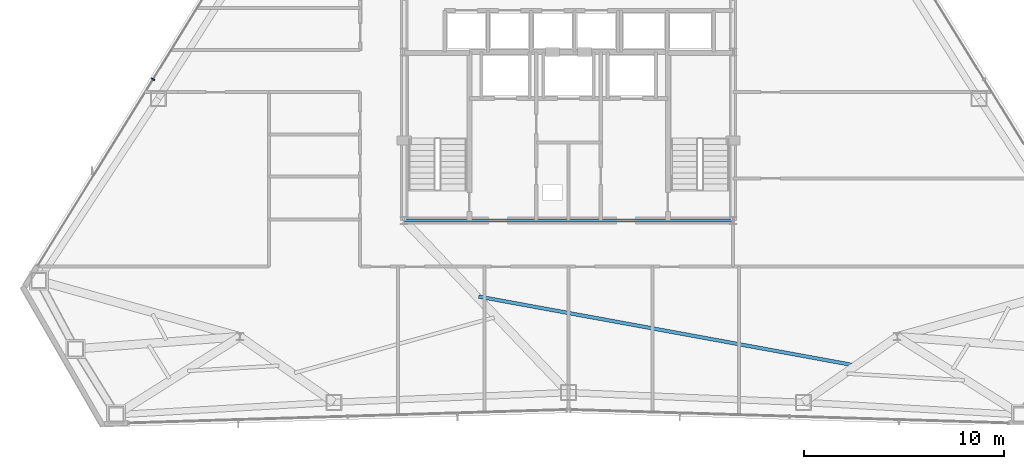
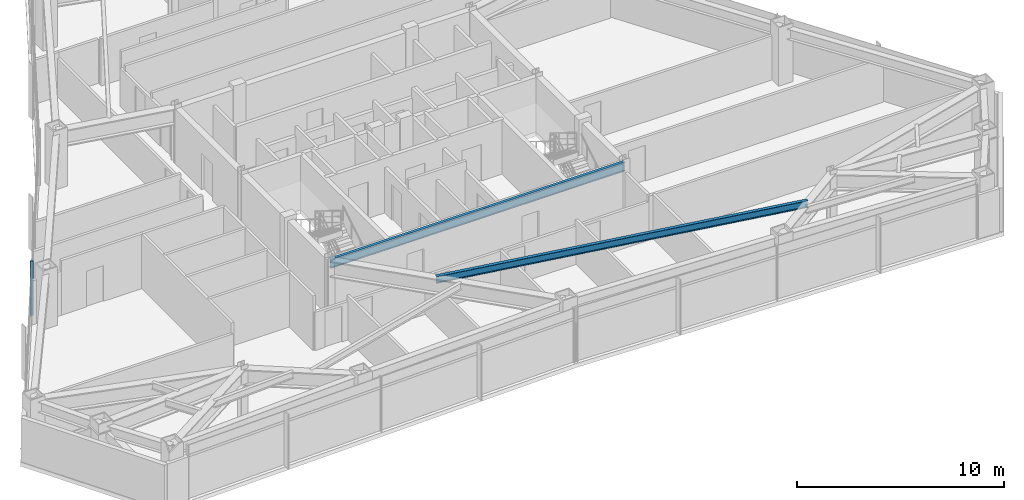
# One storey, part 4 of 13: 2 beams, 1 member, 1 element without a shape of its own.
"""IFC4 building model written with IfcOpenShell, lengths in metres."""

from ifc_helpers import new_model, si_unit, direction, frame, origin, origin_2d, place, context, subcontext, project, spatial, rectangle, i_section, extrude, source, transform, mapped, material, layer, layer_set, material_profile, profile_set, type_object, type_shapes, element, aggregate, save


model = new_model("IFC4")

# Units and contexts
model_context = context("Model", 3, precision=1e-05, world=origin(), true_north=direction((0.0, 1.0)))
body_context = subcontext(model_context, "Body", "Model", "MODEL_VIEW")
ifc_project = project(units=[si_unit("LENGTHUNIT", "METRE"), si_unit("AREAUNIT", "SQUARE_METRE"), si_unit("VOLUMEUNIT", "CUBIC_METRE"), si_unit("PLANEANGLEUNIT", "RADIAN"), si_unit("MASSUNIT", "GRAM", prefix="KILO")], contexts=[model_context])

# Site, building, storey
site_placement = place(None, origin())
site = spatial("IfcSite", under=ifc_project, at=site_placement, CompositionType="ELEMENT")
building_placement = place(site_placement, origin())
building = spatial("IfcBuilding", under=site, at=building_placement, Name="Varakhsha Concourse Tower", CompositionType="ELEMENT")
storey_placement = place(building_placement, frame((0.0, 0.0, 162.0)))
storey = spatial("IfcBuildingStorey", under=building, at=storey_placement, Name="L46", CompositionType="ELEMENT", Elevation=162.0)

# Beams
ifc_material_1 = material(Name="Structural Steel ASTM A992 Grade 50", Category="steel")
ifc_material_profile_1 = material_profile(ifc_material_1, i_section(OverallWidth=0.177978515625, OverallDepth=0.406982421875, WebThickness=0.008056640625, FlangeThickness=0.012939453125, at=origin_2d()), Name="W16X40")
ifc_profile_set_1 = profile_set([ifc_material_profile_1], Name="Structural Steel ASTM A992 Grade 50")
beam_type_1 = type_object("IfcBeamType", Name="BM-JST-W16X40", PredefinedType="JOIST", material=ifc_profile_set_1)
beam_1_placement = place(storey_placement, frame((35.51611328125, 12.6015625, 3.006591796875), z_axis=(0.983674054662, -0.179959312579, 0.0), x_axis=(0.179959312579, 0.983674054662, 0.0)))
element("IfcBeam", 1, at=beam_1_placement, inside=storey, type_object=beam_type_1, Name="BM-TJST-L46-11", PredefinedType="JOIST", context=body_context, shape_type="SweptSolid", body=[
    extrude(i_section(OverallWidth=0.177978515625, OverallDepth=0.406982421875, WebThickness=0.008056640625, FlangeThickness=0.012939453125, at=origin_2d()), origin(), (0.0, 0.0, 1.0), 19.024169921875),
])
ifc_material_profile_2 = material_profile(ifc_material_1, i_section(OverallWidth=0.1669921875, OverallDepth=0.534912109375, WebThickness=0.010009765625, FlangeThickness=0.01708984375, at=origin_2d()), Name="W21X57")
ifc_profile_set_2 = profile_set([ifc_material_profile_2], Name="Structural Steel ASTM A992 Grade 50")
beam_type_2 = type_object("IfcBeamType", Name="BM-RAD-W21X57", PredefinedType="BEAM", material=ifc_profile_set_2)
beam_2_placement = place(storey_placement, frame((31.800048828125, 16.39990234375, 2.9423828125), z_axis=(1.0, 0.0, 0.0), x_axis=(0.0, 1.0, 0.0)))
element("IfcBeam", 2, at=beam_2_placement, inside=storey, type_object=beam_type_2, Name="BM-TCORE-L46-CS", PredefinedType="BEAM", context=body_context, shape_type="SweptSolid", body=[
    extrude(i_section(OverallWidth=0.1669921875, OverallDepth=0.534912109375, WebThickness=0.010009765625, FlangeThickness=0.01708984375, at=origin_2d()), origin(), (0.0, 0.0, 1.0), 16.39990234375),
])

# Curtain wall, member
ifc_material_2 = material(Name="Anodised Bronze Architectural Aluminium AA 6063-T6", Category="aluminium")
ifc_layer = layer(ifc_material_2, 0.2099609375, Name="CW-SYS-04")
ifc_layer_set = layer_set([ifc_layer], Name="Anodised Bronze Architectural Aluminium AA 6063-T6")
curtain_wall_type = type_object("IfcCurtainWallType", Name="CW-SYS-04", PredefinedType="NOTDEFINED", material=ifc_layer_set)
curtain_wall_placement = place(storey_placement, origin())
curtain_wall = element("IfcCurtainWall", 3, at=curtain_wall_placement, inside=storey, type_object=curtain_wall_type, Name="L46 Crystal Curtain Wall F3", PredefinedType="NOTDEFINED")
ifc_material_profile_3 = material_profile(ifc_material_2, rectangle(XDim=0.06494140625, YDim=0.179931640625, at=origin_2d()), Name="CWM-180X65")
ifc_profile_set_3 = profile_set([ifc_material_profile_3], Name="Anodised Bronze Architectural Aluminium AA 6063-T6")
member_type = type_object("IfcMemberType", Name="CWM-180X65", PredefinedType="MULLION", material=ifc_profile_set_3)
shared_shape = source(origin(), body_context, "Body", "SweptSolid", [
    extrude(rectangle(XDim=0.06494140625, YDim=0.179931640625, at=origin_2d()), origin(), (0.0, 0.0, 1.0), 3.2099609375),
])
type_shapes(member_type, [shared_shape])
member_placement = place(storey_placement, frame((19.267578125, 23.44287109375, 0.0), z_axis=(0.0, 0.0, 1.0), x_axis=(0.526199082126, 0.850361409032, 0.0)))
member = element("IfcMember", 4, at=member_placement, type_object=member_type, Name="CW-L46-F3 Mullion 01", PredefinedType="MULLION", context=body_context, shape_type="MappedRepresentation", body=[
    mapped(shared_shape, transform((0.0, 0.0, 0.0), scale=1.0)),
])
aggregate(curtain_wall, [member])

save(model, "model.ifc")
